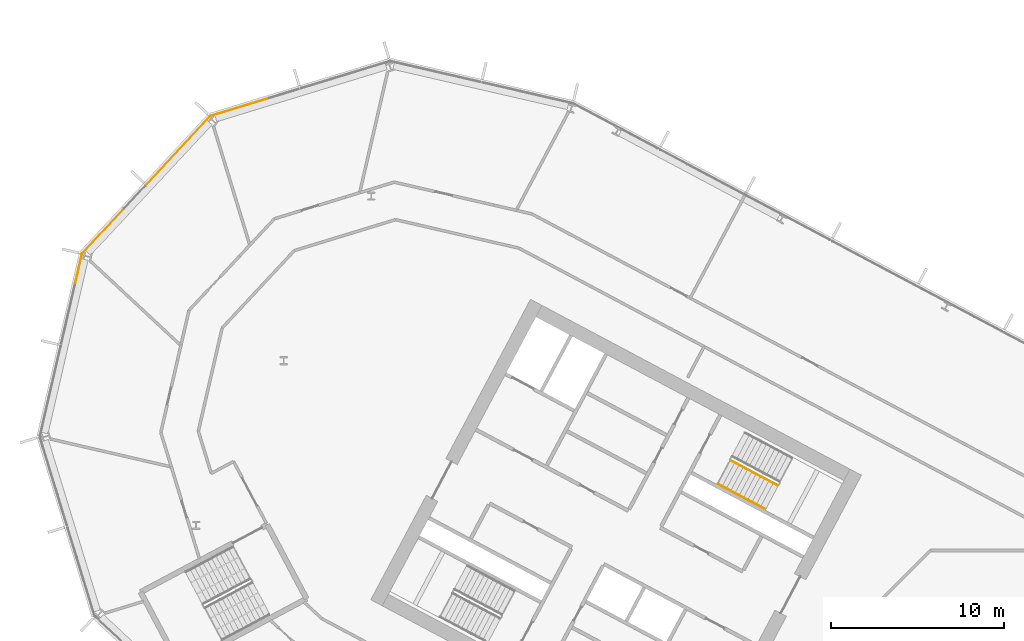
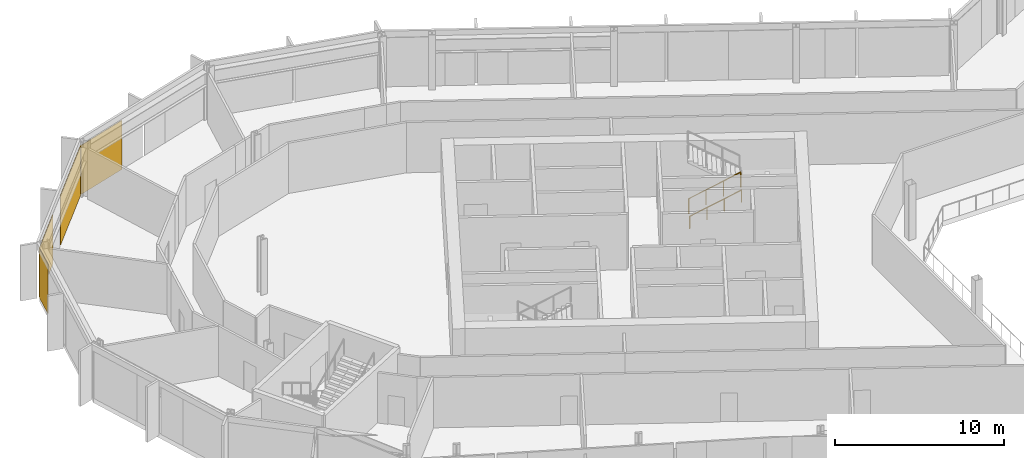
# One storey, part 22 of 28: 4 coverings, 2 railings, 3 elements without a shape of their own.
"""IFC4 building model written with IfcOpenShell, lengths in metres."""

from ifc_helpers import new_model, si_unit, direction, frame, origin, origin_2d, place, context, subcontext, project, spatial, polyline, rectangle, outline, extrude, material, layer, layer_set, type_object, element, aggregate, save


model = new_model("IFC4")

# Units and contexts
model_context = context("Model", 3, precision=1e-05, world=origin(), true_north=direction((0.0, 1.0)))
body_context = subcontext(model_context, "Body", "Model", "MODEL_VIEW")
ifc_project = project(units=[si_unit("LENGTHUNIT", "METRE"), si_unit("AREAUNIT", "SQUARE_METRE"), si_unit("VOLUMEUNIT", "CUBIC_METRE"), si_unit("PLANEANGLEUNIT", "RADIAN"), si_unit("MASSUNIT", "GRAM", prefix="KILO")], contexts=[model_context])

# Site, building, storey
site_placement = place(None, origin())
site = spatial("IfcSite", under=ifc_project, at=site_placement, CompositionType="ELEMENT")
building_placement = place(site_placement, origin())
building = spatial("IfcBuilding", under=site, at=building_placement, Name="Cormorant Relay Tower", CompositionType="ELEMENT")
storey_placement = place(building_placement, frame((0.0, 0.0, 138.199951171875)))
storey = spatial("IfcBuildingStorey", under=building, at=storey_placement, Name="L28", CompositionType="ELEMENT", Elevation=138.199951171875)

# Curtain wall, covering
ifc_material_1 = material(Name="Aluminium 6063-T6 anodised bronze", Category="aluminium")
ifc_layer_1 = layer(ifc_material_1, 0.199951171875)
ifc_layer_set_1 = layer_set([ifc_layer_1], Name="CW1 unitised bronze curtain wall with vertical fins")
curtain_wall_type = type_object("IfcCurtainWallType", Name="CW1 unitised bronze curtain wall with vertical fins", PredefinedType="NOTDEFINED", material=ifc_layer_set_1)
curtain_wall_1_placement = place(storey_placement, origin())
curtain_wall_1 = element("IfcCurtainWall", 1, at=curtain_wall_1_placement, inside=storey, type_object=curtain_wall_type, Name="CW1 curtain wall 11", PredefinedType="NOTDEFINED")
ifc_material_2 = material(Name="Pale bronze anodised aluminium insulated panel", Category="aluminium")
ifc_layer_2 = layer(ifc_material_2, 0.0400390625)
ifc_layer_set_2 = layer_set([ifc_layer_2], Name="CW1 pale bronze insulated panel 40")
covering_type = type_object("IfcCoveringType", Name="CW1 pale bronze insulated panel 40", PredefinedType="CLADDING", material=ifc_layer_set_2)
covering_1_placement = place(storey_placement, frame((-49.16455078125, 39.474853515625, 0.0), z_axis=(0.0, 0.0, 1.0), x_axis=(-0.956304755963, -0.292371704723, 0.0)))
covering_1 = element("IfcCovering", 2, at=covering_1_placement, type_object=covering_type, Name="CW1 panel S03", PredefinedType="CLADDING", context=body_context, shape_type="SweptSolid", body=[
    extrude(rectangle(XDim=3.560302734375, YDim=0.0400390625, at=origin_2d()), origin(), (0.0, 0.0, 1.0), 3.550048828125),
])
aggregate(curtain_wall_1, [covering_1])

# Curtain wall, coverings
curtain_wall_2_placement = place(storey_placement, origin())
curtain_wall_2 = element("IfcCurtainWall", 3, at=curtain_wall_2_placement, inside=storey, type_object=curtain_wall_type, Name="CW1 curtain wall 12", PredefinedType="NOTDEFINED")
covering_2_placement = place(storey_placement, frame((-52.72900390625, 36.961181640625, 0.0), z_axis=(0.0, 0.0, 1.0), x_axis=(-0.681998360062, -0.731353701619, 0.0)))
covering_2 = element("IfcCovering", 4, at=covering_2_placement, type_object=covering_type, Name="CW1 panel S00", PredefinedType="CLADDING", context=body_context, shape_type="SweptSolid", body=[
    extrude(rectangle(XDim=5.28515625, YDim=0.0400390625, at=origin_2d()), origin(), (0.0, 0.0, 1.0), 3.550048828125),
])
covering_3_placement = place(storey_placement, frame((-57.0751953125, 32.300537109375, 0.0), z_axis=(0.0, 0.0, 1.0), x_axis=(-0.681998360062, -0.731353701619, 0.0)))
covering_3 = element("IfcCovering", 5, at=covering_3_placement, type_object=covering_type, Name="CW1 panel S02", PredefinedType="CLADDING", context=body_context, shape_type="SweptSolid", body=[
    extrude(rectangle(XDim=3.560302734375, YDim=0.0400390625, at=origin_2d()), origin(), (0.0, 0.0, 1.0), 3.550048828125),
])
aggregate(curtain_wall_2, [covering_2, covering_3])

# Curtain wall, covering
curtain_wall_3_placement = place(storey_placement, origin())
curtain_wall_3 = element("IfcCurtainWall", 6, at=curtain_wall_3_placement, inside=storey, type_object=curtain_wall_type, Name="CW1 curtain wall 13", PredefinedType="NOTDEFINED")
covering_4_placement = place(storey_placement, frame((-58.50048828125, 30.095458984375, 0.0), z_axis=(0.0, 0.0, 1.0), x_axis=(-0.224951054344, -0.974370064785, 0.0)))
covering_4 = element("IfcCovering", 7, at=covering_4_placement, type_object=covering_type, Name="CW1 panel S00", PredefinedType="CLADDING", context=body_context, shape_type="SweptSolid", body=[
    extrude(rectangle(XDim=1.685302734375, YDim=0.0400390625, at=origin_2d()), origin(), (0.0, 0.0, 1.0), 3.550048828125),
])
aggregate(curtain_wall_3, [covering_4])

# Railings
ifc_material_3 = material(Name="Steel ASTM A572 Grade 50 (Fy 345 MPa)", Category="steel")
railing_type_1 = type_object("IfcRailingType", Name="Stair guard 1100", PredefinedType="GUARDRAIL", material=ifc_material_3)
railing_1_placement = place(storey_placement, frame((-20.75048828125, 19.017822265625, 0.166748046875)))
element("IfcRailing", 8, at=railing_1_placement, inside=storey, type_object=railing_type_1, Name="L28 A1 stair guard 1", PredefinedType="GUARDRAIL", context=body_context, shape_type="SweptSolid", body=[
    extrude(outline(polyline([(0.022216796875, 0.00927734375), (0.00927734375, 0.022216796875), (-0.00927734375, 0.022216796875), (-0.022216796875, 0.00927734375), (-0.022216796875, -0.00927734375), (-0.00927734375, -0.022216796875), (0.00927734375, -0.022216796875), (0.022216796875, -0.00927734375), (0.022216796875, 0.00927734375)])), frame((0.0, 0.0, 1.076171875), z_axis=(0.758734504837, -0.403377838015, 0.511476559549), x_axis=(0.469427602063, 0.882970965786, 0.0)), (0.0, 0.0, 1.0), 3.584228515625),
    extrude(outline(polyline([(0.019287109375, 0.008056640625), (0.008056640625, 0.019287109375), (-0.008056640625, 0.019287109375), (-0.019287109375, 0.008056640625), (-0.019287109375, -0.008056640625), (-0.008056640625, -0.019287109375), (0.008056640625, -0.019287109375), (0.019287109375, -0.008056640625), (0.019287109375, 0.008056640625)])), origin(), (0.0, 0.0, 1.0), 1.052001953125),
    extrude(outline(polyline([(0.019287109375, 0.008056640625), (0.008056640625, 0.019287109375), (-0.008056640625, 0.019287109375), (-0.019287109375, 0.008056640625), (-0.019287109375, -0.008056640625), (-0.008056640625, -0.019287109375), (0.008056640625, -0.019287109375), (0.019287109375, -0.008056640625), (0.019287109375, 0.008056640625)])), frame((0.906494140625, -0.48193359375, 0.611083984375)), (0.0, 0.0, 1.0), 1.052001953125),
    extrude(outline(polyline([(0.019287109375, 0.008056640625), (0.008056640625, 0.019287109375), (-0.008056640625, 0.019287109375), (-0.019287109375, 0.008056640625), (-0.019287109375, -0.008056640625), (-0.008056640625, -0.019287109375), (0.008056640625, -0.019287109375), (0.019287109375, -0.008056640625), (0.019287109375, 0.008056640625)])), frame((1.81298828125, -0.9638671875, 1.22216796875)), (0.0, 0.0, 1.0), 1.052001953125),
    extrude(outline(polyline([(0.019287109375, 0.008056640625), (0.008056640625, 0.019287109375), (-0.008056640625, 0.019287109375), (-0.019287109375, 0.008056640625), (-0.019287109375, -0.008056640625), (-0.008056640625, -0.019287109375), (0.008056640625, -0.019287109375), (0.019287109375, -0.008056640625), (0.019287109375, 0.008056640625)])), frame((2.719482421875, -1.44580078125, 1.833251953125)), (0.0, 0.0, 1.0), 1.052001953125),
])
ifc_material_4 = material(Name="Steel ASTM A572 Grade 50 (Fy 345 MPa)", Category="steel")
railing_type_2 = type_object("IfcRailingType", Name="Stair handrail 900", PredefinedType="HANDRAIL", material=ifc_material_4)
railing_2_placement = place(storey_placement, frame((-21.478271484375, 17.6494140625, 0.166748046875)))
element("IfcRailing", 9, at=railing_2_placement, inside=storey, type_object=railing_type_2, Name="L28 A1 stair handrail 1", PredefinedType="HANDRAIL", context=body_context, shape_type="SweptSolid", body=[
    extrude(outline(polyline([(0.022216796875, 0.00927734375), (0.00927734375, 0.022216796875), (-0.00927734375, 0.022216796875), (-0.022216796875, 0.00927734375), (-0.022216796875, -0.00927734375), (-0.00927734375, -0.022216796875), (0.00927734375, -0.022216796875), (0.022216796875, -0.00927734375), (0.022216796875, 0.00927734375)])), frame((0.0, 0.0, 0.8759765625), z_axis=(0.758713656843, -0.403434867536, 0.511462505542), x_axis=(0.469489399267, 0.882938108802, 0.0)), (0.0, 0.0, 1.0), 3.584228515625),
    extrude(outline(polyline([(0.019287109375, 0.008056640625), (0.008056640625, 0.019287109375), (-0.008056640625, 0.019287109375), (-0.019287109375, 0.008056640625), (-0.019287109375, -0.008056640625), (-0.008056640625, -0.019287109375), (0.008056640625, -0.019287109375), (0.019287109375, -0.008056640625), (0.019287109375, 0.008056640625)])), origin(), (0.0, 0.0, 1.0), 0.851806640625),
    extrude(outline(polyline([(0.019287109375, 0.008056640625), (0.008056640625, 0.019287109375), (-0.008056640625, 0.019287109375), (-0.019287109375, 0.008056640625), (-0.019287109375, -0.008056640625), (-0.008056640625, -0.019287109375), (0.008056640625, -0.019287109375), (0.019287109375, -0.008056640625), (0.019287109375, 0.008056640625)])), frame((0.906494140625, -0.48193359375, 0.611083984375)), (0.0, 0.0, 1.0), 0.851806640625),
    extrude(outline(polyline([(0.019287109375, 0.008056640625), (0.008056640625, 0.019287109375), (-0.008056640625, 0.019287109375), (-0.019287109375, 0.008056640625), (-0.019287109375, -0.008056640625), (-0.008056640625, -0.019287109375), (0.008056640625, -0.019287109375), (0.019287109375, -0.008056640625), (0.019287109375, 0.008056640625)])), frame((1.81298828125, -0.964111328125, 1.22216796875)), (0.0, 0.0, 1.0), 0.851806640625),
    extrude(outline(polyline([(0.019287109375, 0.008056640625), (0.008056640625, 0.019287109375), (-0.008056640625, 0.019287109375), (-0.019287109375, 0.008056640625), (-0.019287109375, -0.008056640625), (-0.008056640625, -0.019287109375), (0.008056640625, -0.019287109375), (0.019287109375, -0.008056640625), (0.019287109375, 0.008056640625)])), frame((2.719482421875, -1.446044921875, 1.833251953125)), (0.0, 0.0, 1.0), 0.851806640625),
])

save(model, "model.ifc")
